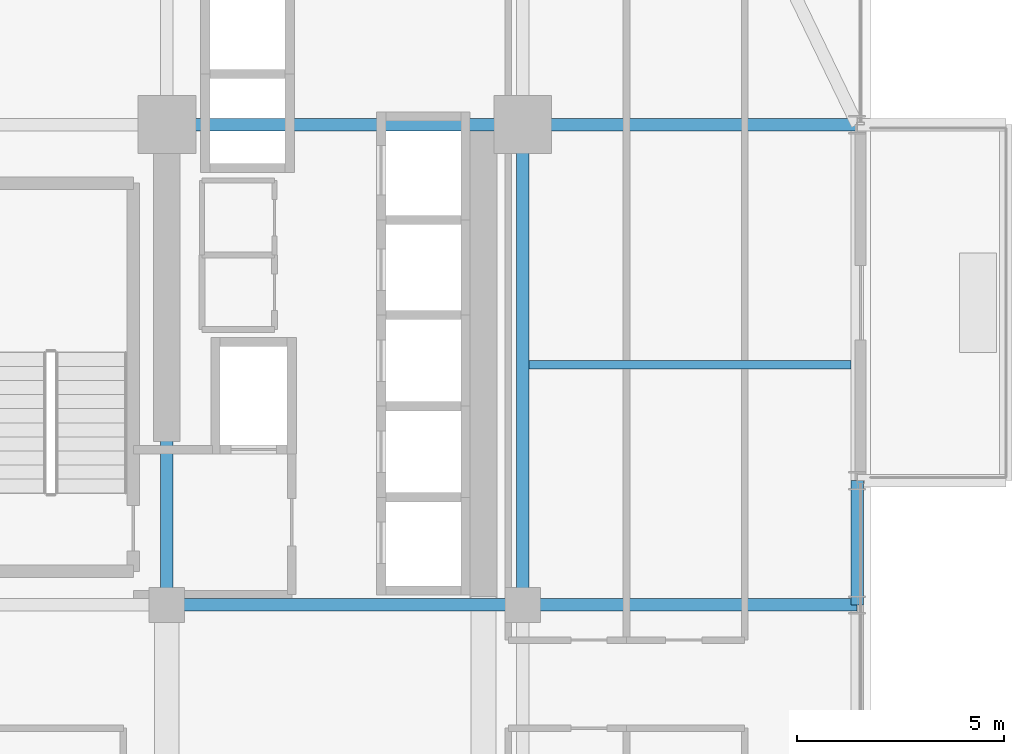
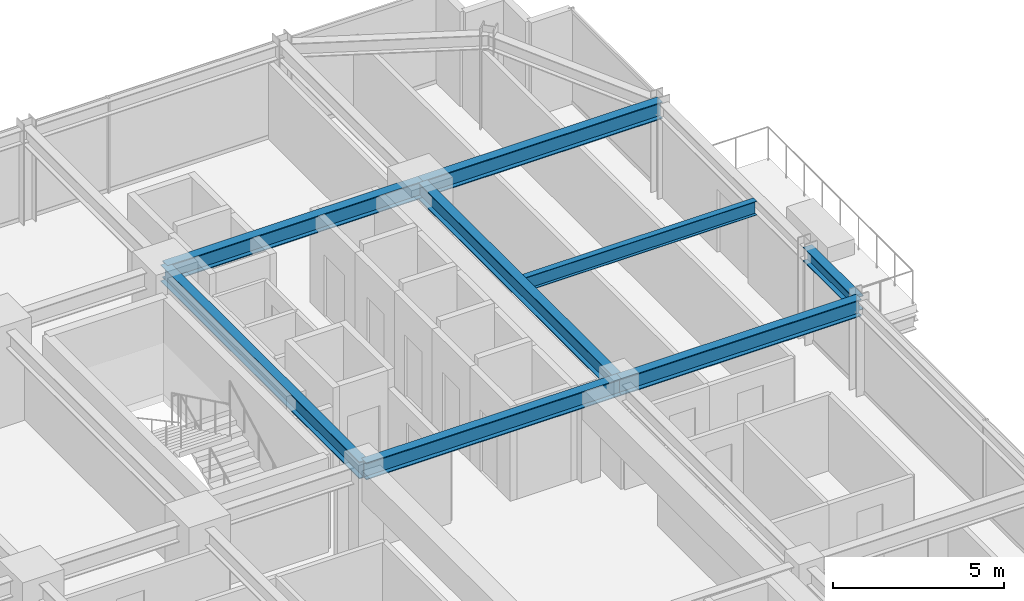
# One storey, part 24 of 36: 8 beams.
"""IFC4 building model written with IfcOpenShell, lengths in metres."""

import ifcopenshell
import ifcopenshell.guid

model = None  # the IFC model being written
_history = None  # IfcOwnerHistory: only IFC2X3 demands one
_inside = {}  # id of a spatial element -> (the spatial element, [elements in it])
_under = {}  # id of a project, library or spatial element -> (it, [spatial elements below it])
_declared = {}  # id of a project -> (the project, [libraries it declares])
_typed = {}  # id of a type object -> (the type object, [elements of that type])
_made_of = {}  # id of a material, layer set ... -> (it, [elements and type objects made of it])


def new_model(schema):
    """Start an empty IFC model of exactly this schema.

    Asked for "IFC4X3", IfcOpenShell would pick the latest addendum, in which some entities
    have other attributes; the version numbers below select the first issue.
    IFC2X3 requires an IfcOwnerHistory on every rooted entity: one is made here for all.
    """
    global model, _history
    if schema == "IFC4X3":
        model = ifcopenshell.file(schema_version=(4, 3, 0, 0))
    else:
        model = ifcopenshell.file(schema=schema)
    _inside.clear()
    _under.clear()
    _declared.clear()
    _typed.clear()
    _made_of.clear()
    _history = None
    if model.schema == "IFC2X3":
        org = make("IfcOrganization", Name="unknown")
        user = make(
            "IfcPersonAndOrganization",
            ThePerson=make("IfcPerson", FamilyName="unknown"),
            TheOrganization=org,
        )
        app = make(
            "IfcApplication",
            ApplicationDeveloper=org,
            Version="unknown",
            ApplicationFullName="unknown",
            ApplicationIdentifier="unknown",
        )
        _history = make(
            "IfcOwnerHistory",
            OwningUser=user,
            OwningApplication=app,
            ChangeAction="ADDED",
            CreationDate=0,
        )
    return model


def make(cls, **values):
    """One entity of the class cls with the attributes given. An attribute that is None is left unset."""
    return model.create_entity(
        cls, **{name: value for name, value in values.items() if value is not None}
    )


def rooted(cls, **values):
    """An entity with a GlobalId (a new one), such as an element, a storey or a relation."""
    return make(cls, GlobalId=ifcopenshell.guid.new(), OwnerHistory=_history, **values)


def si_unit(unit_type, name, prefix=None):
    """IfcSIUnit, for example si_unit("LENGTHUNIT", "METRE", prefix="MILLI")."""
    return make("IfcSIUnit", UnitType=unit_type, Prefix=prefix, Name=name)


def assignment(units):
    """IfcUnitAssignment: the units of a project."""
    return None if units is None else make("IfcUnitAssignment", Units=units)


def point(xyz):
    """IfcCartesianPoint."""
    return None if xyz is None else make("IfcCartesianPoint", Coordinates=xyz)


def direction(xyz):
    """IfcDirection."""
    return None if xyz is None else make("IfcDirection", DirectionRatios=xyz)


def frame(location, z_axis=None, x_axis=None):
    """IfcAxis2Placement3D, a coordinate frame: its origin and axes. An axis left out is left unset."""
    return make(
        "IfcAxis2Placement3D",
        Location=point(location),
        Axis=direction(z_axis),
        RefDirection=direction(x_axis),
    )


def frame_2d(location, x_axis=None):
    """IfcAxis2Placement2D, a coordinate frame in the plane: its origin and x axis."""
    return make(
        "IfcAxis2Placement2D", Location=point(location), RefDirection=direction(x_axis)
    )


def origin():
    """The frame at (0, 0, 0) with its axes left unset."""
    return frame((0.0, 0.0, 0.0))


def origin_2d():
    """The frame at (0, 0) in the plane with its x axis left unset."""
    return frame_2d((0.0, 0.0))


def place(relative_to, where):
    """IfcLocalPlacement: puts the frame where relative to a parent placement (None: the world)."""
    return make(
        "IfcLocalPlacement", PlacementRelTo=relative_to, RelativePlacement=where
    )


def context(
    kind, dimensions, precision=None, world=None, true_north=None, identifier=None
):
    """IfcGeometricRepresentationContext, for example the 3D "Model" context."""
    return make(
        "IfcGeometricRepresentationContext",
        ContextIdentifier=identifier,
        ContextType=kind,
        CoordinateSpaceDimension=dimensions,
        Precision=precision,
        WorldCoordinateSystem=world,
        TrueNorth=true_north,
    )


def subcontext(parent, identifier, kind, view, scale=None):
    """IfcGeometricRepresentationSubContext, for example "Body" below "Model"."""
    return make(
        "IfcGeometricRepresentationSubContext",
        ContextIdentifier=identifier,
        ContextType=kind,
        ParentContext=parent,
        TargetScale=scale,
        TargetView=view,
    )


def project(units=None, contexts=None):
    """IfcProject with its units and contexts."""
    return rooted(
        "IfcProject",
        Name="project",
        RepresentationContexts=contexts,
        UnitsInContext=assignment(units),
    )


def spatial(cls, under=None, at=None, **own):
    """A site, building, storey or space (cls), placed at a placement, below another one or the project."""
    s = rooted(cls, ObjectPlacement=at, **own)
    if under is not None:
        _under.setdefault(under.id(), (under, []))[1].append(s)
    return s


def profile(cls, at=None, kind="AREA", **sizes):
    """A parametric profile (cls). Its sizes go by their IFC names, for example OverallWidth=200.0."""
    return make(cls, ProfileType=kind, Position=at, **sizes)


def i_section(**sizes):
    """IfcIShapeProfileDef."""
    return profile("IfcIShapeProfileDef", **sizes)


def extrude(swept, where, along, depth):
    """IfcExtrudedAreaSolid: the profile swept, set in the frame where, extruded along a direction by depth."""
    return make(
        "IfcExtrudedAreaSolid",
        SweptArea=swept,
        Position=where,
        ExtrudedDirection=direction(along),
        Depth=depth,
    )


def shape(context_of_items, identifier, shape_type, items):
    """IfcShapeRepresentation: the items that make up one representation, for example the "Body"."""
    return make(
        "IfcShapeRepresentation",
        ContextOfItems=context_of_items,
        RepresentationIdentifier=identifier,
        RepresentationType=shape_type,
        Items=items,
    )


def source(mapping_origin, context_of_items, identifier, shape_type, items):
    """IfcRepresentationMap: a shape defined once, which mapped items show again and again."""
    return make(
        "IfcRepresentationMap",
        MappingOrigin=mapping_origin,
        MappedRepresentation=shape(context_of_items, identifier, shape_type, items),
    )


def transform(
    local_origin,
    x_axis=None,
    y_axis=None,
    z_axis=None,
    scale=None,
    scale2=None,
    scale3=None,
    uniform=True,
):
    """IfcCartesianTransformationOperator3D, or its non-uniform kind. x_axis, y_axis, z_axis: its Axis1, 2, 3."""
    if uniform:
        return make(
            "IfcCartesianTransformationOperator3D",
            Axis1=direction(x_axis),
            Axis2=direction(y_axis),
            LocalOrigin=point(local_origin),
            Scale=scale,
            Axis3=direction(z_axis),
        )
    return make(
        "IfcCartesianTransformationOperator3DnonUniform",
        Axis1=direction(x_axis),
        Axis2=direction(y_axis),
        LocalOrigin=point(local_origin),
        Scale=scale,
        Axis3=direction(z_axis),
        Scale2=scale2,
        Scale3=scale3,
    )


def mapped(mapping_source, mapping_target):
    """IfcMappedItem: shows the shape of a source again, moved by a transform."""
    return make(
        "IfcMappedItem", MappingSource=mapping_source, MappingTarget=mapping_target
    )


def material(Name=None, Category=None):
    """IfcMaterial."""
    return make("IfcMaterial", Name=Name, Category=Category)


def material_profile(
    of_material, cross_section, Name=None, Category=None, Priority=None
):
    """IfcMaterialProfile: a cross section and its material."""
    return make(
        "IfcMaterialProfile",
        Name=Name,
        Material=of_material,
        Profile=cross_section,
        Priority=Priority,
        Category=Category,
    )


def profile_set(profiles, Name=None, composite=None):
    """IfcMaterialProfileSet."""
    return make(
        "IfcMaterialProfileSet",
        Name=Name,
        MaterialProfiles=profiles,
        CompositeProfile=composite,
    )


def made_of(thing, what):
    """Note that an element or type object is made of a material, layer set ...; save() writes the relation."""
    if what is not None:
        _made_of.setdefault(what.id(), (what, []))[1].append(thing)
    return thing


def type_object(cls, material=None, **own):
    """A type object (cls), such as IfcWallType, which elements share."""
    return made_of(rooted(cls, **own), material)


def element(
    cls,
    number,
    at=None,
    inside=None,
    cuts=None,
    type_object=None,
    material=None,
    context=None,
    identifier="Body",
    shape_type=None,
    held_by="IfcProductDefinitionShape",
    body=None,
    shapes=None,
    **own,
):
    """One element of the class cls, such as IfcWall. Its Tag is "e" and its number.

    at: its placement. inside: the storey or other place that contains it. cuts: it is an
    opening in that element (IfcRelVoidsElement). A single representation is given by context,
    identifier, shape_type and body (its items); several are given by shapes. held_by: the class
    of the entity that holds the representations. save() writes the other relations.
    """
    e = rooted(cls, Tag="e%d" % number, ObjectPlacement=at, **own)
    if body is not None:
        shapes = [shape(context, identifier, shape_type, body)]
    if shapes is not None:
        e.Representation = make(held_by, Representations=shapes)
    if inside is not None:
        _inside.setdefault(inside.id(), (inside, []))[1].append(e)
    if cuts is not None:
        rooted(
            "IfcRelVoidsElement", RelatingBuildingElement=cuts, RelatedOpeningElement=e
        )
    if type_object is not None:
        _typed.setdefault(type_object.id(), (type_object, []))[1].append(e)
    return made_of(e, material)


def aggregate(whole, parts):
    """IfcRelAggregates: a whole, such as a stair, and the parts it consists of."""
    return rooted("IfcRelAggregates", RelatingObject=whole, RelatedObjects=parts)


def save(model, path):
    """Write the relations noted so far, then the file.

    IfcRelAggregates (storeys below a building ...), IfcRelContainedInSpatialStructure (elements
    in a storey), IfcRelDefinesByType, IfcRelAssociatesMaterial and IfcRelDeclares: one each for
    every whole, place, type object, material and project.
    """
    for whole, parts in _under.values():
        aggregate(whole, parts)
    for where, things in _inside.values():
        rooted(
            "IfcRelContainedInSpatialStructure",
            RelatedElements=things,
            RelatingStructure=where,
        )
    for kind, things in _typed.values():
        rooted("IfcRelDefinesByType", RelatedObjects=things, RelatingType=kind)
    for what, things in _made_of.values():
        rooted("IfcRelAssociatesMaterial", RelatedObjects=things, RelatingMaterial=what)
    for by, libraries in _declared.values():
        rooted("IfcRelDeclares", RelatingContext=by, RelatedDefinitions=libraries)
    model.write(path)


model = new_model("IFC4")

# Units and contexts
model_context = context("Model", 3, precision=1e-05, world=origin(), true_north=direction((0.0, 1.0)))
body_context = subcontext(model_context, "Body", "Model", "MODEL_VIEW")
ifc_project = project(units=[si_unit("LENGTHUNIT", "METRE"), si_unit("AREAUNIT", "SQUARE_METRE"), si_unit("VOLUMEUNIT", "CUBIC_METRE"), si_unit("PLANEANGLEUNIT", "RADIAN"), si_unit("MASSUNIT", "GRAM", prefix="KILO")], contexts=[model_context])

# Site, building, storey
site_placement = place(None, origin())
site = spatial("IfcSite", under=ifc_project, at=site_placement, CompositionType="ELEMENT")
building_placement = place(site_placement, origin())
building = spatial("IfcBuilding", under=site, at=building_placement, Name="Nahalor Promenade Grand Hotel", CompositionType="ELEMENT")
storey_placement = place(building_placement, frame((0.0, 0.0, 72.550048828125)))
storey = spatial("IfcBuildingStorey", under=building, at=storey_placement, Name="L17", CompositionType="ELEMENT", Elevation=72.550048828125)

# Beams
ifc_material = material(Name="Steel S355JR", Category="steel")
ifc_material_profile_1 = material_profile(ifc_material, i_section(OverallWidth=0.3, OverallDepth=0.6, WebThickness=0.0155, FlangeThickness=0.03, at=origin_2d()), Name="HEB 600")
ifc_profile_set_1 = profile_set([ifc_material_profile_1], Name="Steel S355JR")
beam_type_1 = type_object("IfcBeamType", Name="Beam-Girder-HEB600", PredefinedType="BEAM", material=ifc_profile_set_1)
shared_shape_1 = source(origin(), body_context, "Body", "SweptSolid", [
    extrude(i_section(OverallWidth=0.3, OverallDepth=0.6, WebThickness=0.0155, FlangeThickness=0.03, at=origin_2d()), origin(), (0.0, 0.0, 1.0), 8.60009765625),
])
for number, where, z_axis, x_axis, name in (
    (1, (8.39990234375, 5.39990234375, 3.070068359375), (1.0, 0.0, 0.0), (0.0, 1.0, 0.0), "BM-L17-GX-2-5"),
    (2, (8.39990234375, 17.0, 3.070068359375), (1.0, 0.0, 0.0), (0.0, 1.0, 0.0), "BM-L17-GX-3-5"),
):
    element("IfcBeam", number, at=place(storey_placement, frame(where, z_axis=z_axis, x_axis=x_axis)), inside=storey, type_object=beam_type_1, Name=name, PredefinedType="BEAM", context=body_context, shape_type="MappedRepresentation", body=[
        mapped(shared_shape_1, transform((0.0, 0.0, 0.0), scale=1.0)),
    ])
shared_shape_2 = source(origin(), body_context, "Body", "SweptSolid", [
    extrude(i_section(OverallWidth=0.3, OverallDepth=0.6, WebThickness=0.0155, FlangeThickness=0.03, at=origin_2d()), origin(), (0.0, 0.0, 1.0), 11.60009765625),
])
for number, where, z_axis, x_axis, name in (
    (3, (8.39990234375, 5.39990234375, 3.070068359375), (0.0, 1.0, 0.0), (-1.0, 0.0, 0.0), "BM-L17-GY-4-3"),
    (4, (17.0, 5.39990234375, 3.070068359375), (0.0, 1.0, 0.0), (-1.0, 0.0, 0.0), "BM-L17-GY-5-3"),
):
    element("IfcBeam", number, at=place(storey_placement, frame(where, z_axis=z_axis, x_axis=x_axis)), inside=storey, type_object=beam_type_1, Name=name, PredefinedType="BEAM", context=body_context, shape_type="MappedRepresentation", body=[
        mapped(shared_shape_2, transform((0.0, 0.0, 0.0), scale=1.0)),
    ])
ifc_material_profile_2 = material_profile(ifc_material, i_section(OverallWidth=0.3, OverallDepth=0.5, WebThickness=0.0145, FlangeThickness=0.028, at=origin_2d()), Name="HEB 500")
ifc_profile_set_2 = profile_set([ifc_material_profile_2], Name="Steel S355JR")
beam_type_2 = type_object("IfcBeamType", Name="Beam-Spandrel-HEB500", PredefinedType="SPANDREL", material=ifc_profile_set_2)
shared_shape_3 = source(origin(), body_context, "Body", "SweptSolid", [
    extrude(i_section(OverallWidth=0.3, OverallDepth=0.5, WebThickness=0.0145, FlangeThickness=0.028, at=origin_2d()), origin(), (0.0, 0.0, 1.0), 3.0),
])
beam_1_placement = place(storey_placement, frame((25.080078125, 5.39990234375, 3.119873046875), z_axis=(0.0, 1.0, 0.0), x_axis=(-1.0, 0.0, 0.0)))
element("IfcBeam", 5, at=beam_1_placement, inside=storey, type_object=beam_type_2, Name="BM-L17-SP-E-3", PredefinedType="SPANDREL", context=body_context, shape_type="MappedRepresentation", body=[
    mapped(shared_shape_3, transform((0.0, 0.0, 0.0), scale=1.0)),
])
shared_shape_4 = source(origin(), body_context, "Body", "SweptSolid", [
    extrude(i_section(OverallWidth=0.3, OverallDepth=0.6, WebThickness=0.0155, FlangeThickness=0.03, at=origin_2d()), origin(), (0.0, 0.0, 1.0), 8.080078125),
])
for number, where, z_axis, x_axis, name in (
    (6, (17.0, 5.39990234375, 3.070068359375), (1.0, 0.0, 0.0), (0.0, 1.0, 0.0), "BM-L17-GX-2-6"),
    (7, (17.0, 17.0, 3.070068359375), (1.0, 0.0, 0.0), (0.0, 1.0, 0.0), "BM-L17-GX-3-6"),
):
    element("IfcBeam", number, at=place(storey_placement, frame(where, z_axis=z_axis, x_axis=x_axis)), inside=storey, type_object=beam_type_1, Name=name, PredefinedType="BEAM", context=body_context, shape_type="MappedRepresentation", body=[
        mapped(shared_shape_4, transform((0.0, 0.0, 0.0), scale=1.0)),
    ])
ifc_material_profile_3 = material_profile(ifc_material, i_section(OverallWidth=0.2, OverallDepth=0.5, WebThickness=0.0102, FlangeThickness=0.016, at=origin_2d()), Name="IPE 500")
ifc_profile_set_3 = profile_set([ifc_material_profile_3], Name="Steel S355JR")
beam_type_3 = type_object("IfcBeamType", Name="Beam-Joist-IPE500", PredefinedType="JOIST", material=ifc_profile_set_3)
shared_shape_5 = source(origin(), body_context, "Body", "SweptSolid", [
    extrude(i_section(OverallWidth=0.2, OverallDepth=0.5, WebThickness=0.0102, FlangeThickness=0.016, at=origin_2d()), origin(), (0.0, 0.0, 1.0), 7.780029296875),
])
beam_2_placement = place(storey_placement, frame((17.14990234375, 11.199951171875, 3.119873046875), z_axis=(1.0, 0.0, 0.0), x_axis=(0.0, 1.0, 0.0)))
element("IfcBeam", 8, at=beam_2_placement, inside=storey, type_object=beam_type_3, Name="BM-L17-JSE-1-2", PredefinedType="JOIST", context=body_context, shape_type="MappedRepresentation", body=[
    mapped(shared_shape_5, transform((0.0, 0.0, 0.0), scale=1.0)),
])

save(model, "model.ifc")
